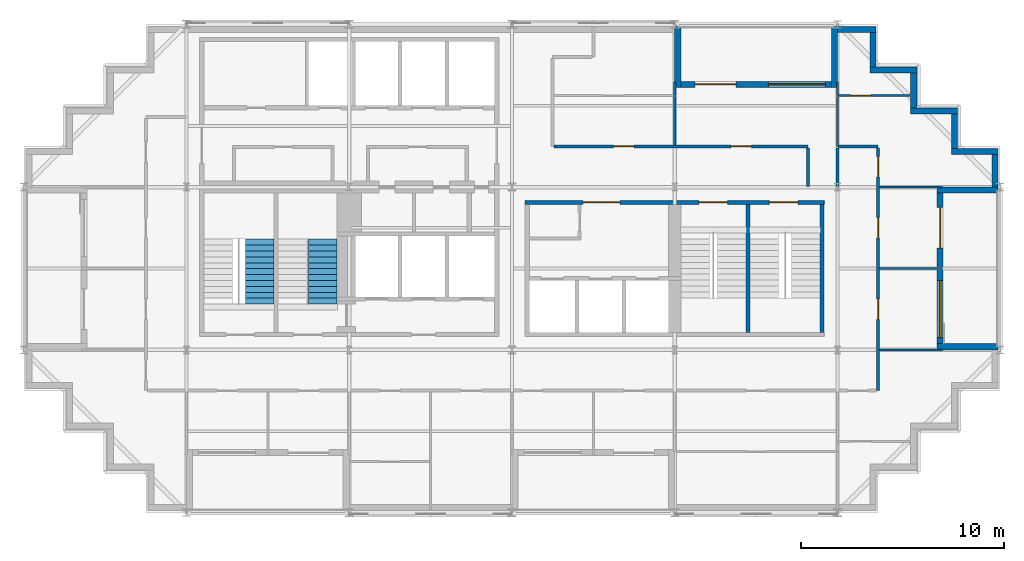
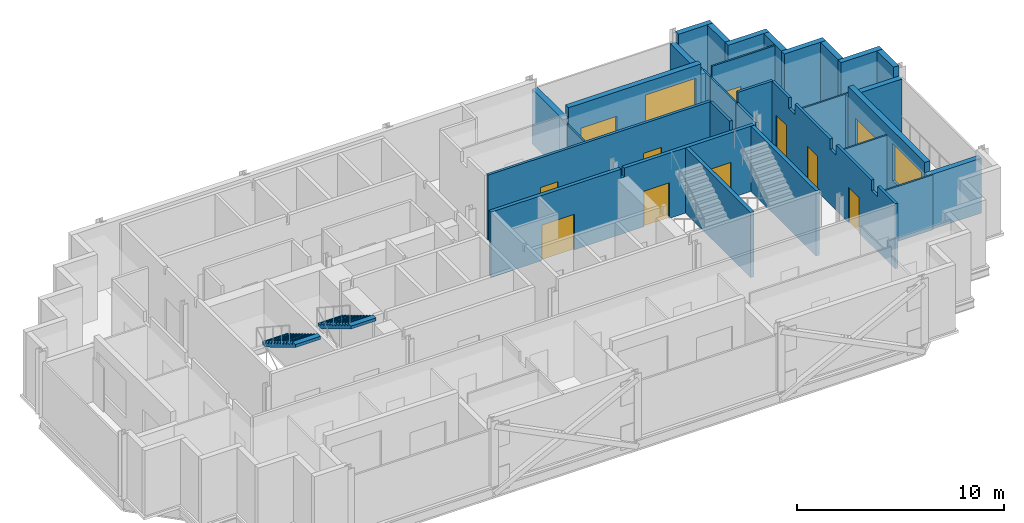
# One storey, part 7 of 9: 30 walls, 11 doors, 2 stair flights, 2 windows, 13 openings, 2 elements without a shape of their own.
"""IFC4 building model written with IfcOpenShell, lengths in metres."""

import ifcopenshell
import ifcopenshell.guid

model = None  # the IFC model being written
_history = None  # IfcOwnerHistory: only IFC2X3 demands one
_inside = {}  # id of a spatial element -> (the spatial element, [elements in it])
_under = {}  # id of a project, library or spatial element -> (it, [spatial elements below it])
_declared = {}  # id of a project -> (the project, [libraries it declares])
_typed = {}  # id of a type object -> (the type object, [elements of that type])
_made_of = {}  # id of a material, layer set ... -> (it, [elements and type objects made of it])


def new_model(schema):
    """Start an empty IFC model of exactly this schema.

    Asked for "IFC4X3", IfcOpenShell would pick the latest addendum, in which some entities
    have other attributes; the version numbers below select the first issue.
    IFC2X3 requires an IfcOwnerHistory on every rooted entity: one is made here for all.
    """
    global model, _history
    if schema == "IFC4X3":
        model = ifcopenshell.file(schema_version=(4, 3, 0, 0))
    else:
        model = ifcopenshell.file(schema=schema)
    _inside.clear()
    _under.clear()
    _declared.clear()
    _typed.clear()
    _made_of.clear()
    _history = None
    if model.schema == "IFC2X3":
        org = make("IfcOrganization", Name="unknown")
        user = make(
            "IfcPersonAndOrganization",
            ThePerson=make("IfcPerson", FamilyName="unknown"),
            TheOrganization=org,
        )
        app = make(
            "IfcApplication",
            ApplicationDeveloper=org,
            Version="unknown",
            ApplicationFullName="unknown",
            ApplicationIdentifier="unknown",
        )
        _history = make(
            "IfcOwnerHistory",
            OwningUser=user,
            OwningApplication=app,
            ChangeAction="ADDED",
            CreationDate=0,
        )
    return model


def make(cls, **values):
    """One entity of the class cls with the attributes given. An attribute that is None is left unset."""
    return model.create_entity(
        cls, **{name: value for name, value in values.items() if value is not None}
    )


def rooted(cls, **values):
    """An entity with a GlobalId (a new one), such as an element, a storey or a relation."""
    return make(cls, GlobalId=ifcopenshell.guid.new(), OwnerHistory=_history, **values)


def si_unit(unit_type, name, prefix=None):
    """IfcSIUnit, for example si_unit("LENGTHUNIT", "METRE", prefix="MILLI")."""
    return make("IfcSIUnit", UnitType=unit_type, Prefix=prefix, Name=name)


def assignment(units):
    """IfcUnitAssignment: the units of a project."""
    return None if units is None else make("IfcUnitAssignment", Units=units)


def point(xyz):
    """IfcCartesianPoint."""
    return None if xyz is None else make("IfcCartesianPoint", Coordinates=xyz)


def direction(xyz):
    """IfcDirection."""
    return None if xyz is None else make("IfcDirection", DirectionRatios=xyz)


def frame(location, z_axis=None, x_axis=None):
    """IfcAxis2Placement3D, a coordinate frame: its origin and axes. An axis left out is left unset."""
    return make(
        "IfcAxis2Placement3D",
        Location=point(location),
        Axis=direction(z_axis),
        RefDirection=direction(x_axis),
    )


def frame_2d(location, x_axis=None):
    """IfcAxis2Placement2D, a coordinate frame in the plane: its origin and x axis."""
    return make(
        "IfcAxis2Placement2D", Location=point(location), RefDirection=direction(x_axis)
    )


def origin():
    """The frame at (0, 0, 0) with its axes left unset."""
    return frame((0.0, 0.0, 0.0))


def place(relative_to, where):
    """IfcLocalPlacement: puts the frame where relative to a parent placement (None: the world)."""
    return make(
        "IfcLocalPlacement", PlacementRelTo=relative_to, RelativePlacement=where
    )


def context(
    kind, dimensions, precision=None, world=None, true_north=None, identifier=None
):
    """IfcGeometricRepresentationContext, for example the 3D "Model" context."""
    return make(
        "IfcGeometricRepresentationContext",
        ContextIdentifier=identifier,
        ContextType=kind,
        CoordinateSpaceDimension=dimensions,
        Precision=precision,
        WorldCoordinateSystem=world,
        TrueNorth=true_north,
    )


def subcontext(parent, identifier, kind, view, scale=None):
    """IfcGeometricRepresentationSubContext, for example "Body" below "Model"."""
    return make(
        "IfcGeometricRepresentationSubContext",
        ContextIdentifier=identifier,
        ContextType=kind,
        ParentContext=parent,
        TargetScale=scale,
        TargetView=view,
    )


def project(units=None, contexts=None):
    """IfcProject with its units and contexts."""
    return rooted(
        "IfcProject",
        Name="project",
        RepresentationContexts=contexts,
        UnitsInContext=assignment(units),
    )


def spatial(cls, under=None, at=None, **own):
    """A site, building, storey or space (cls), placed at a placement, below another one or the project."""
    s = rooted(cls, ObjectPlacement=at, **own)
    if under is not None:
        _under.setdefault(under.id(), (under, []))[1].append(s)
    return s


def polyline(points):
    """IfcPolyline through the points."""
    return make("IfcPolyline", Points=[point(p) for p in points])


def profile(cls, at=None, kind="AREA", **sizes):
    """A parametric profile (cls). Its sizes go by their IFC names, for example OverallWidth=200.0."""
    return make(cls, ProfileType=kind, Position=at, **sizes)


def rectangle(**sizes):
    """IfcRectangleProfileDef."""
    return profile("IfcRectangleProfileDef", **sizes)


def outline(outer, holes=None, kind="AREA"):
    """IfcArbitraryClosedProfileDef: a profile drawn as a closed curve; with holes, ...WithVoids."""
    if holes is None:
        return make("IfcArbitraryClosedProfileDef", ProfileType=kind, OuterCurve=outer)
    return make(
        "IfcArbitraryProfileDefWithVoids",
        ProfileType=kind,
        OuterCurve=outer,
        InnerCurves=holes,
    )


def extrude(swept, where, along, depth):
    """IfcExtrudedAreaSolid: the profile swept, set in the frame where, extruded along a direction by depth."""
    return make(
        "IfcExtrudedAreaSolid",
        SweptArea=swept,
        Position=where,
        ExtrudedDirection=direction(along),
        Depth=depth,
    )


def shape(context_of_items, identifier, shape_type, items):
    """IfcShapeRepresentation: the items that make up one representation, for example the "Body"."""
    return make(
        "IfcShapeRepresentation",
        ContextOfItems=context_of_items,
        RepresentationIdentifier=identifier,
        RepresentationType=shape_type,
        Items=items,
    )


def material(Name=None, Category=None):
    """IfcMaterial."""
    return make("IfcMaterial", Name=Name, Category=Category)


def layer(
    of_material, thickness, ventilated=None, Name=None, Category=None, Priority=None
):
    """IfcMaterialLayer: one layer of a wall or slab, of a material (None: an air gap)."""
    return make(
        "IfcMaterialLayer",
        Material=of_material,
        LayerThickness=thickness,
        IsVentilated=ventilated,
        Name=Name,
        Category=Category,
        Priority=Priority,
    )


def layer_set(layers, Name=None):
    """IfcMaterialLayerSet."""
    return make("IfcMaterialLayerSet", MaterialLayers=layers, LayerSetName=Name)


def made_of(thing, what):
    """Note that an element or type object is made of a material, layer set ...; save() writes the relation."""
    if what is not None:
        _made_of.setdefault(what.id(), (what, []))[1].append(thing)
    return thing


def type_object(cls, material=None, **own):
    """A type object (cls), such as IfcWallType, which elements share."""
    return made_of(rooted(cls, **own), material)


def element(
    cls,
    number,
    at=None,
    inside=None,
    cuts=None,
    type_object=None,
    material=None,
    context=None,
    identifier="Body",
    shape_type=None,
    held_by="IfcProductDefinitionShape",
    body=None,
    shapes=None,
    **own,
):
    """One element of the class cls, such as IfcWall. Its Tag is "e" and its number.

    at: its placement. inside: the storey or other place that contains it. cuts: it is an
    opening in that element (IfcRelVoidsElement). A single representation is given by context,
    identifier, shape_type and body (its items); several are given by shapes. held_by: the class
    of the entity that holds the representations. save() writes the other relations.
    """
    e = rooted(cls, Tag="e%d" % number, ObjectPlacement=at, **own)
    if body is not None:
        shapes = [shape(context, identifier, shape_type, body)]
    if shapes is not None:
        e.Representation = make(held_by, Representations=shapes)
    if inside is not None:
        _inside.setdefault(inside.id(), (inside, []))[1].append(e)
    if cuts is not None:
        rooted(
            "IfcRelVoidsElement", RelatingBuildingElement=cuts, RelatedOpeningElement=e
        )
    if type_object is not None:
        _typed.setdefault(type_object.id(), (type_object, []))[1].append(e)
    return made_of(e, material)


def fill(opening, filler):
    """IfcRelFillsElement: the door or window that sits in an opening."""
    return rooted(
        "IfcRelFillsElement",
        RelatingOpeningElement=opening,
        RelatedBuildingElement=filler,
    )


def aggregate(whole, parts):
    """IfcRelAggregates: a whole, such as a stair, and the parts it consists of."""
    return rooted("IfcRelAggregates", RelatingObject=whole, RelatedObjects=parts)


def save(model, path):
    """Write the relations noted so far, then the file.

    IfcRelAggregates (storeys below a building ...), IfcRelContainedInSpatialStructure (elements
    in a storey), IfcRelDefinesByType, IfcRelAssociatesMaterial and IfcRelDeclares: one each for
    every whole, place, type object, material and project.
    """
    for whole, parts in _under.values():
        aggregate(whole, parts)
    for where, things in _inside.values():
        rooted(
            "IfcRelContainedInSpatialStructure",
            RelatedElements=things,
            RelatingStructure=where,
        )
    for kind, things in _typed.values():
        rooted("IfcRelDefinesByType", RelatedObjects=things, RelatingType=kind)
    for what, things in _made_of.values():
        rooted("IfcRelAssociatesMaterial", RelatedObjects=things, RelatingMaterial=what)
    for by, libraries in _declared.values():
        rooted("IfcRelDeclares", RelatingContext=by, RelatedDefinitions=libraries)
    model.write(path)


model = new_model("IFC4")

# Units and contexts
model_context = context("Model", 3, precision=1e-05, world=origin(), true_north=direction((0.0, 1.0)))
body_context = subcontext(model_context, "Body", "Model", "MODEL_VIEW")
ifc_project = project(units=[si_unit("LENGTHUNIT", "METRE"), si_unit("AREAUNIT", "SQUARE_METRE"), si_unit("VOLUMEUNIT", "CUBIC_METRE"), si_unit("PLANEANGLEUNIT", "RADIAN"), si_unit("MASSUNIT", "GRAM", prefix="KILO")], contexts=[model_context])

# Site, building, storey
site_placement = place(None, origin())
site = spatial("IfcSite", under=ifc_project, at=site_placement, CompositionType="ELEMENT")
building_placement = place(site_placement, origin())
building = spatial("IfcBuilding", under=site, at=building_placement, Name="Immortelle Media Tower", CompositionType="ELEMENT")
storey_placement = place(building_placement, frame((0.0, 0.0, 287.0)))
storey = spatial("IfcBuildingStorey", under=building, at=storey_placement, Name="L63", CompositionType="ELEMENT", Elevation=287.0)

# Wall, openings, doors
ifc_material_1 = material(Name="Fire-rated gypsum board", Category="gypsum")
ifc_layer_1 = layer(ifc_material_1, 0.012451171875)
ifc_material_2 = material(Name="Steel ASTM A653 SS Gr 50 stud frame with mineral wool", Category="steel")
ifc_layer_2 = layer(ifc_material_2, 0.125)
ifc_layer_3 = layer(ifc_material_1, 0.012451171875)
ifc_layer_set_1 = layer_set([ifc_layer_1, ifc_layer_2, ifc_layer_3], Name="Steel ASTM A653 SS Gr 50 stud frame with mineral wool")
wall_type_1 = type_object("IfcWallType", Name="Corridor wall 150", PredefinedType="PARTITIONING", material=ifc_layer_set_1)
wall_1_placement = place(storey_placement, frame((42.0, 6.0, 0.0), z_axis=(0.0, 0.0, 1.0), x_axis=(0.0, 1.0, 0.0)))
wall_1 = element("IfcWall", 1, at=wall_1_placement, inside=storey, type_object=wall_type_1, Name="Partition L63-017", PredefinedType="PARTITIONING", context=body_context, shape_type="SweptSolid", body=[
    extrude(outline(polyline([(0.0, 0.0), (11.925048828125, 0.0), (11.925048828125, 3.85009765625), (10.300048828125, 3.85009765625), (10.298095703125, 3.238037109375), (9.701904296875, 3.238037109375), (9.699951171875, 3.85009765625), (6.300048828125, 3.85009765625), (6.298095703125, 3.238037109375), (5.701904296875, 3.238037109375), (5.699951171875, 3.85009765625), (2.300048828125, 3.85009765625), (2.298095703125, 3.238037109375), (1.701904296875, 3.238037109375), (1.699951171875, 3.85009765625), (0.0, 3.85009765625), (0.0, 0.0)])), frame((0.0, 0.074951171875, 0.0), z_axis=(0.0, -1.0, 0.0), x_axis=(1.0, 0.0, 0.0)), (0.0, 0.0, 1.0), 0.14990234375),
])
opening_1_placement = place(wall_1_placement, frame((4.5, 0.0, 0.0), z_axis=(0.0, 0.0, 1.0), x_axis=(-1.0, 0.0, 0.0)))
opening_1 = element("IfcOpeningElement", 2, at=opening_1_placement, cuts=wall_1, Name="Opening X5-F015", PredefinedType="OPENING", context=body_context, shape_type="SweptSolid", body=[
    extrude(rectangle(XDim=1.0, YDim=2.10009765625, at=frame_2d((0.5, 1.050048828125))), frame((0.0, 0.0849609375, 0.0), z_axis=(0.0, -1.0, 0.0), x_axis=(1.0, 0.0, 0.0)), (0.0, 0.0, 1.0), 0.169921875),
])
opening_2_placement = place(wall_1_placement, frame((8.5, 0.0, 0.0), z_axis=(0.0, 0.0, 1.0), x_axis=(-1.0, 0.0, 0.0)))
opening_2 = element("IfcOpeningElement", 3, at=opening_2_placement, cuts=wall_1, Name="Opening X5-F016", PredefinedType="OPENING", context=body_context, shape_type="SweptSolid", body=[
    extrude(rectangle(XDim=1.0, YDim=2.10009765625, at=frame_2d((0.5, 1.050048828125))), frame((0.0, 0.0849609375, 0.0), z_axis=(0.0, -1.0, 0.0), x_axis=(1.0, 0.0, 0.0)), (0.0, 0.0, 1.0), 0.169921875),
])
opening_3_placement = place(wall_1_placement, frame((10.5, 0.0, 0.0)))
opening_3 = element("IfcOpeningElement", 4, at=opening_3_placement, cuts=wall_1, Name="Opening X5-F018", PredefinedType="OPENING", context=body_context, shape_type="SweptSolid", body=[
    extrude(rectangle(XDim=1.0, YDim=2.10009765625, at=frame_2d((0.5, 1.050048828125))), frame((0.0, 0.0849609375, 0.0), z_axis=(0.0, -1.0, 0.0), x_axis=(1.0, 0.0, 0.0)), (0.0, 0.0, 1.0), 0.169921875),
])
ifc_material_3 = material(Name="Timber veneered door leaf, galvanised steel frame ASTM A653", Category="steel")
door_type_1 = type_object("IfcDoorType", Name="Room door 1000 x 2100", OperationType="NOTDEFINED", PredefinedType="DOOR", material=ifc_material_3)
door_1_placement = place(opening_1_placement, origin())
door_1 = element("IfcDoor", 5, at=door_1_placement, inside=storey, type_object=door_type_1, Name="Door X5-F015", OperationType="SINGLE_SWING_RIGHT", OverallHeight=2.10009765625, OverallWidth=1.0, PredefinedType="DOOR", context=body_context, shape_type="SweptSolid", body=[
    extrude(rectangle(XDim=1.0, YDim=2.10009765625, at=frame_2d((0.5, 1.050048828125))), frame((0.0, 0.02490234375, 0.0), z_axis=(0.0, -1.0, 0.0), x_axis=(1.0, 0.0, 0.0)), (0.0, 0.0, 1.0), 0.050048828125),
])
fill(opening_1, door_1)
door_2_placement = place(opening_2_placement, origin())
door_2 = element("IfcDoor", 6, at=door_2_placement, inside=storey, type_object=door_type_1, Name="Door X5-F016", OperationType="SINGLE_SWING_LEFT", OverallHeight=2.10009765625, OverallWidth=1.0, PredefinedType="DOOR", context=body_context, shape_type="SweptSolid", body=[
    extrude(rectangle(XDim=1.0, YDim=2.10009765625, at=frame_2d((0.5, 1.050048828125))), frame((0.0, 0.02490234375, 0.0), z_axis=(0.0, -1.0, 0.0), x_axis=(1.0, 0.0, 0.0)), (0.0, 0.0, 1.0), 0.050048828125),
])
fill(opening_2, door_2)
door_3_placement = place(opening_3_placement, origin())
door_3 = element("IfcDoor", 7, at=door_3_placement, inside=storey, type_object=door_type_1, Name="Door X5-F018", OperationType="SINGLE_SWING_RIGHT", OverallHeight=2.10009765625, OverallWidth=1.0, PredefinedType="DOOR", context=body_context, shape_type="SweptSolid", body=[
    extrude(rectangle(XDim=1.0, YDim=2.10009765625, at=frame_2d((0.5, 1.050048828125))), frame((0.0, 0.02490234375, 0.0), z_axis=(0.0, -1.0, 0.0), x_axis=(1.0, 0.0, 0.0)), (0.0, 0.0, 1.0), 0.050048828125),
])
fill(opening_3, door_3)

# Walls
wall_2_placement = place(storey_placement, frame((38.550048828125, 16.030029296875, 0.0), z_axis=(0.0, 0.0, 1.0), x_axis=(0.0, 1.0, 0.0)))
element("IfcWall", 8, at=wall_2_placement, inside=storey, type_object=wall_type_1, Name="Partition L63-024", PredefinedType="PARTITIONING", context=body_context, shape_type="SweptSolid", body=[
    extrude(rectangle(XDim=1.89501953125, YDim=0.14990234375, at=frame_2d((0.947509765625, 0.0))), origin(), (0.0, 0.0, 1.0), 3.85009765625),
])
wall_3_placement = place(storey_placement, frame((40.0, 16.030029296875, 0.0), z_axis=(0.0, 0.0, 1.0), x_axis=(0.0, 1.0, 0.0)))
element("IfcWall", 9, at=wall_3_placement, inside=storey, type_object=wall_type_1, Name="Partition L63-025", PredefinedType="PARTITIONING", context=body_context, shape_type="SweptSolid", body=[
    extrude(rectangle(XDim=1.89501953125, YDim=0.14990234375, at=frame_2d((0.947509765625, 0.0))), origin(), (0.0, 0.0, 1.0), 3.238037109375),
])

# Wall, openings, doors
wall_4_placement = place(storey_placement, frame((26.074951171875, 18.0, 0.0), z_axis=(0.0, 0.0, 1.0), x_axis=(1.0, 0.0, 0.0)))
wall_4 = element("IfcWall", 10, at=wall_4_placement, inside=storey, type_object=wall_type_1, Name="Partition L63-026", PredefinedType="PARTITIONING", context=body_context, shape_type="SweptSolid", body=[
    extrude(rectangle(XDim=12.47509765625, YDim=0.14990234375, at=frame_2d((6.237548828125, 0.0))), origin(), (0.0, 0.0, 1.0), 3.85009765625),
])
opening_4_placement = place(wall_4_placement, frame((8.699951171875, 0.0, 0.0)))
opening_4 = element("IfcOpeningElement", 11, at=opening_4_placement, cuts=wall_4, Name="Opening X5-F020", PredefinedType="OPENING", context=body_context, shape_type="SweptSolid", body=[
    extrude(rectangle(XDim=1.0, YDim=2.10009765625, at=frame_2d((0.5, 1.050048828125))), frame((0.0, 0.0849609375, 0.0), z_axis=(0.0, -1.0, 0.0), x_axis=(1.0, 0.0, 0.0)), (0.0, 0.0, 1.0), 0.169921875),
])
opening_5_placement = place(wall_4_placement, frame((2.925048828125, 0.0, 0.0)))
opening_5 = element("IfcOpeningElement", 12, at=opening_5_placement, cuts=wall_4, Name="Opening X5-F021", PredefinedType="OPENING", context=body_context, shape_type="SweptSolid", body=[
    extrude(rectangle(XDim=1.0, YDim=2.10009765625, at=frame_2d((0.5, 1.050048828125))), frame((0.0, 0.0849609375, 0.0), z_axis=(0.0, -1.0, 0.0), x_axis=(1.0, 0.0, 0.0)), (0.0, 0.0, 1.0), 0.169921875),
])
door_4_placement = place(opening_4_placement, origin())
door_4 = element("IfcDoor", 13, at=door_4_placement, inside=storey, type_object=door_type_1, Name="Door X5-F020", OperationType="SINGLE_SWING_LEFT", OverallHeight=2.10009765625, OverallWidth=1.0, PredefinedType="DOOR", context=body_context, shape_type="SweptSolid", body=[
    extrude(rectangle(XDim=1.0, YDim=2.10009765625, at=frame_2d((0.5, 1.050048828125))), frame((0.0, 0.02490234375, 0.0), z_axis=(0.0, -1.0, 0.0), x_axis=(1.0, 0.0, 0.0)), (0.0, 0.0, 1.0), 0.050048828125),
])
fill(opening_4, door_4)
door_5_placement = place(opening_5_placement, origin())
door_5 = element("IfcDoor", 14, at=door_5_placement, inside=storey, type_object=door_type_1, Name="Door X5-F021", OperationType="SINGLE_SWING_RIGHT", OverallHeight=2.10009765625, OverallWidth=1.0, PredefinedType="DOOR", context=body_context, shape_type="SweptSolid", body=[
    extrude(rectangle(XDim=1.0, YDim=2.10009765625, at=frame_2d((0.5, 1.050048828125))), frame((0.0, 0.02490234375, 0.0), z_axis=(0.0, -1.0, 0.0), x_axis=(1.0, 0.0, 0.0)), (0.0, 0.0, 1.0), 0.050048828125),
])
fill(opening_5, door_5)

# Wall
wall_5_placement = place(storey_placement, frame((40.050048828125, 18.0, 0.0), z_axis=(0.0, 0.0, 1.0), x_axis=(1.0, 0.0, 0.0)))
element("IfcWall", 15, at=wall_5_placement, inside=storey, type_object=wall_type_1, Name="Partition L63-029", PredefinedType="PARTITIONING", context=body_context, shape_type="SweptSolid", body=[
    extrude(rectangle(XDim=1.949951171875, YDim=0.14990234375, at=frame_2d((0.97509765625, 0.0))), origin(), (0.0, 0.0, 1.0), 3.85009765625),
])

# Wall, openings, door, window
ifc_material_4 = material(Name="Pale aluminium cladding panel", Category="aluminium")
ifc_layer_4 = layer(ifc_material_4, 0.030029296875)
ifc_layer_5 = layer(ifc_material_2, 0.257568359375)
ifc_material_5 = material(Name="Moisture-resistant gypsum board", Category="gypsum")
ifc_layer_6 = layer(ifc_material_5, 0.012451171875)
ifc_layer_set_2 = layer_set([ifc_layer_4, ifc_layer_5, ifc_layer_6], Name="Steel ASTM A653 SS Gr 50 stud frame with mineral wool")
wall_type_2 = type_object("IfcWallType", Name="Facade wall 300", PredefinedType="SOLIDWALL", material=ifc_layer_set_2)
wall_6_placement = place(storey_placement, frame((45.050048828125, 8.300048828125, 0.0), z_axis=(0.0, 0.0, 1.0), x_axis=(0.0, 1.0, 0.0)))
wall_6 = element("IfcWall", 16, at=wall_6_placement, inside=storey, type_object=wall_type_2, Name="Loggia wall L63 E13", PredefinedType="SOLIDWALL", context=body_context, shape_type="SweptSolid", body=[
    extrude(rectangle(XDim=7.39990234375, YDim=0.300048828125, at=frame_2d((3.699951171875, 0.0))), origin(), (0.0, 0.0, 1.0), 3.85009765625),
])
opening_6_placement = place(wall_6_placement, frame((0.300048828125, 0.0, 0.89990234375)))
opening_6 = element("IfcOpeningElement", 17, at=opening_6_placement, cuts=wall_6, Name="Opening W1", PredefinedType="OPENING", context=body_context, shape_type="SweptSolid", body=[
    extrude(rectangle(XDim=2.800048828125, YDim=2.199951171875, at=frame_2d((1.39990234375, 1.10009765625))), frame((0.0, 0.159912109375, 0.0), z_axis=(0.0, -1.0, 0.0), x_axis=(1.0, 0.0, 0.0)), (0.0, 0.0, 1.0), 0.320068359375),
])
opening_7_placement = place(wall_6_placement, frame((4.699951171875, 0.0, 0.0)))
opening_7 = element("IfcOpeningElement", 18, at=opening_7_placement, cuts=wall_6, Name="Opening X5-E003", PredefinedType="OPENING", context=body_context, shape_type="SweptSolid", body=[
    extrude(rectangle(XDim=2.0, YDim=2.39990234375, at=frame_2d((1.0, 1.199951171875))), frame((0.0, 0.159912109375, 0.0), z_axis=(0.0, -1.0, 0.0), x_axis=(1.0, 0.0, 0.0)), (0.0, 0.0, 1.0), 0.320068359375),
])
ifc_material_6 = material(Name="Aluminium frame, glazed leaves", Category="aluminium")
door_type_2 = type_object("IfcDoorType", Name="Loggia door 2000 x 2400", OperationType="DOUBLE_DOOR_SINGLE_SWING", PredefinedType="DOOR", material=ifc_material_6)
door_6_placement = place(opening_7_placement, origin())
door_6 = element("IfcDoor", 19, at=door_6_placement, inside=storey, type_object=door_type_2, Name="Door X5-E003", OperationType="DOUBLE_DOOR_SINGLE_SWING", OverallHeight=2.39990234375, OverallWidth=2.0, PredefinedType="DOOR", context=body_context, shape_type="SweptSolid", body=[
    extrude(rectangle(XDim=2.0, YDim=2.39990234375, at=frame_2d((1.0, 1.199951171875))), frame((0.0, 0.02490234375, 0.0), z_axis=(0.0, -1.0, 0.0), x_axis=(1.0, 0.0, 0.0)), (0.0, 0.0, 1.0), 0.050048828125),
])
fill(opening_7, door_6)
ifc_material_7 = material(Name="Aluminium frame", Category="aluminium")
window_type = type_object("IfcWindowType", Name="Window 2800 x 2200", PartitioningType="SINGLE_PANEL", PredefinedType="WINDOW", material=ifc_material_7)
window_1_placement = place(opening_6_placement, origin())
window_1 = element("IfcWindow", 20, at=window_1_placement, inside=storey, type_object=window_type, Name="Window L63 L63-R13-B0", OverallHeight=2.199951171875, OverallWidth=2.800048828125, PartitioningType="SINGLE_PANEL", PredefinedType="WINDOW", context=body_context, shape_type="SweptSolid", body=[
    extrude(rectangle(XDim=2.800048828125, YDim=2.199951171875, at=frame_2d((1.39990234375, 1.10009765625))), frame((0.0, 0.030029296875, 0.0), z_axis=(0.0, -1.0, 0.0), x_axis=(1.0, 0.0, 0.0)), (0.0, 0.0, 1.0), 0.06005859375),
])
fill(opening_6, window_1)

# Walls
for number, where, z_axis, x_axis, name in (
    (21, (47.89990234375, 8.14990234375, 0.0), (0.0, 0.0, 1.0), (-1.0, 0.0, 0.0), "Loggia cheek wall L63 E"),
    (22, (47.89990234375, 15.85009765625, 0.0), (0.0, 0.0, 1.0), (-1.0, 0.0, 0.0), "Loggia cheek wall L63 E"),
):
    element("IfcWall", number, at=place(storey_placement, frame(where, z_axis=z_axis, x_axis=x_axis)), inside=storey, type_object=wall_type_2, Name=name, PredefinedType="SOLIDWALL", context=body_context, shape_type="SweptSolid", body=[
        extrude(rectangle(XDim=3.0, YDim=0.300048828125, at=frame_2d((1.5, 0.0))), origin(), (0.0, 0.0, 1.0), 3.237060546875),
    ])
wall_7_placement = place(storey_placement, frame((47.75, 16.0, 0.0), z_axis=(0.0, 0.0, 1.0), x_axis=(0.0, 1.0, 0.0)))
element("IfcWall", 23, at=wall_7_placement, inside=storey, type_object=wall_type_2, Name="Facade wall L63 E13", PredefinedType="SOLIDWALL", context=body_context, shape_type="SweptSolid", body=[
    extrude(rectangle(XDim=1.60009765625, YDim=0.300048828125, at=frame_2d((0.800048828125, 0.0))), origin(), (0.0, 0.0, 1.0), 3.85009765625),
])
wall_8_placement = place(storey_placement, frame((47.89990234375, 17.75, 0.0), z_axis=(0.0, 0.0, 1.0), x_axis=(-1.0, 0.0, 0.0)))
element("IfcWall", 24, at=wall_8_placement, inside=storey, type_object=wall_type_2, Name="Facade wall L63 N14", PredefinedType="SOLIDWALL", context=body_context, shape_type="SweptSolid", body=[
    extrude(rectangle(XDim=2.2998046875, YDim=0.300048828125, at=frame_2d((1.14990234375, 0.0))), origin(), (0.0, 0.0, 1.0), 3.85009765625),
])
wall_9_placement = place(storey_placement, frame((45.75, 17.89990234375, 0.0), z_axis=(0.0, 0.0, 1.0), x_axis=(0.0, 1.0, 0.0)))
element("IfcWall", 25, at=wall_9_placement, inside=storey, type_object=wall_type_2, Name="Facade wall L63 E15", PredefinedType="SOLIDWALL", context=body_context, shape_type="SweptSolid", body=[
    extrude(rectangle(XDim=1.7001953125, YDim=0.300048828125, at=frame_2d((0.85009765625, 0.0))), origin(), (0.0, 0.0, 1.0), 3.85009765625),
])
wall_10_placement = place(storey_placement, frame((45.89990234375, 19.75, 0.0), z_axis=(0.0, 0.0, 1.0), x_axis=(-1.0, 0.0, 0.0)))
element("IfcWall", 26, at=wall_10_placement, inside=storey, type_object=wall_type_2, Name="Facade wall L63 N16", PredefinedType="SOLIDWALL", context=body_context, shape_type="SweptSolid", body=[
    extrude(rectangle(XDim=2.2998046875, YDim=0.300048828125, at=frame_2d((1.14990234375, 0.0))), origin(), (0.0, 0.0, 1.0), 3.85009765625),
])
wall_11_placement = place(storey_placement, frame((43.75, 19.89990234375, 0.0), z_axis=(0.0, 0.0, 1.0), x_axis=(0.0, 1.0, 0.0)))
element("IfcWall", 27, at=wall_11_placement, inside=storey, type_object=wall_type_2, Name="Facade wall L63 E17", PredefinedType="SOLIDWALL", context=body_context, shape_type="SweptSolid", body=[
    extrude(rectangle(XDim=1.7001953125, YDim=0.300048828125, at=frame_2d((0.85009765625, 0.0))), origin(), (0.0, 0.0, 1.0), 3.85009765625),
])
wall_12_placement = place(storey_placement, frame((43.89990234375, 21.75, 0.0), z_axis=(0.0, 0.0, 1.0), x_axis=(-1.0, 0.0, 0.0)))
element("IfcWall", 28, at=wall_12_placement, inside=storey, type_object=wall_type_2, Name="Facade wall L63 N18", PredefinedType="SOLIDWALL", context=body_context, shape_type="SweptSolid", body=[
    extrude(rectangle(XDim=2.2998046875, YDim=0.300048828125, at=frame_2d((1.14990234375, 0.0))), origin(), (0.0, 0.0, 1.0), 3.85009765625),
])
wall_13_placement = place(storey_placement, frame((41.75, 21.89990234375, 0.0), z_axis=(0.0, 0.0, 1.0), x_axis=(0.0, 1.0, 0.0)))
element("IfcWall", 29, at=wall_13_placement, inside=storey, type_object=wall_type_2, Name="Facade wall L63 E19", PredefinedType="SOLIDWALL", context=body_context, shape_type="SweptSolid", body=[
    extrude(rectangle(XDim=1.7001953125, YDim=0.300048828125, at=frame_2d((0.85009765625, 0.0))), origin(), (0.0, 0.0, 1.0), 3.85009765625),
])
wall_14_placement = place(storey_placement, frame((41.89990234375, 23.75, 0.0), z_axis=(0.0, 0.0, 1.0), x_axis=(-1.0, 0.0, 0.0)))
element("IfcWall", 30, at=wall_14_placement, inside=storey, type_object=wall_type_2, Name="Facade wall L63 N20", PredefinedType="SOLIDWALL", context=body_context, shape_type="SweptSolid", body=[
    extrude(rectangle(XDim=1.89990234375, YDim=0.300048828125, at=frame_2d((0.949951171875, 0.0))), origin(), (0.0, 0.0, 1.0), 3.85009765625),
])

# Wall, openings, door, window
wall_15_placement = place(storey_placement, frame((39.699951171875, 21.050048828125, 0.0), z_axis=(0.0, 0.0, 1.0), x_axis=(-1.0, 0.0, 0.0)))
wall_15 = element("IfcWall", 31, at=wall_15_placement, inside=storey, type_object=wall_type_2, Name="Loggia wall L63 N20", PredefinedType="SOLIDWALL", context=body_context, shape_type="SweptSolid", body=[
    extrude(rectangle(XDim=7.39990234375, YDim=0.300048828125, at=frame_2d((3.699951171875, 0.0))), origin(), (0.0, 0.0, 1.0), 3.85009765625),
])
opening_8_placement = place(wall_15_placement, frame((0.300048828125, 0.0, 0.89990234375)))
opening_8 = element("IfcOpeningElement", 32, at=opening_8_placement, cuts=wall_15, Name="Opening W1", PredefinedType="OPENING", context=body_context, shape_type="SweptSolid", body=[
    extrude(rectangle(XDim=2.800048828125, YDim=2.199951171875, at=frame_2d((1.39990234375, 1.10009765625))), frame((0.0, 0.159912109375, 0.0), z_axis=(0.0, -1.0, 0.0), x_axis=(1.0, 0.0, 0.0)), (0.0, 0.0, 1.0), 0.320068359375),
])
opening_9_placement = place(wall_15_placement, frame((4.699951171875, 0.0, 0.0)))
opening_9 = element("IfcOpeningElement", 33, at=opening_9_placement, cuts=wall_15, Name="Opening X5-E004", PredefinedType="OPENING", context=body_context, shape_type="SweptSolid", body=[
    extrude(rectangle(XDim=2.0, YDim=2.39990234375, at=frame_2d((1.0, 1.199951171875))), frame((0.0, 0.159912109375, 0.0), z_axis=(0.0, -1.0, 0.0), x_axis=(1.0, 0.0, 0.0)), (0.0, 0.0, 1.0), 0.320068359375),
])
door_7_placement = place(opening_9_placement, origin())
door_7 = element("IfcDoor", 34, at=door_7_placement, inside=storey, type_object=door_type_2, Name="Door X5-E004", OperationType="DOUBLE_DOOR_SINGLE_SWING", OverallHeight=2.39990234375, OverallWidth=2.0, PredefinedType="DOOR", context=body_context, shape_type="SweptSolid", body=[
    extrude(rectangle(XDim=2.0, YDim=2.39990234375, at=frame_2d((1.0, 1.199951171875))), frame((0.0, 0.02490234375, 0.0), z_axis=(0.0, -1.0, 0.0), x_axis=(1.0, 0.0, 0.0)), (0.0, 0.0, 1.0), 0.050048828125),
])
fill(opening_9, door_7)
window_2_placement = place(opening_8_placement, origin())
window_2 = element("IfcWindow", 35, at=window_2_placement, inside=storey, type_object=window_type, Name="Window L63 L63-R20-B0", OverallHeight=2.199951171875, OverallWidth=2.800048828125, PartitioningType="SINGLE_PANEL", PredefinedType="WINDOW", context=body_context, shape_type="SweptSolid", body=[
    extrude(rectangle(XDim=2.800048828125, YDim=2.199951171875, at=frame_2d((1.39990234375, 1.10009765625))), frame((0.0, 0.030029296875, 0.0), z_axis=(0.0, -1.0, 0.0), x_axis=(1.0, 0.0, 0.0)), (0.0, 0.0, 1.0), 0.06005859375),
])
fill(opening_8, window_2)

# Walls
wall_16_placement = place(storey_placement, frame((39.85009765625, 23.89990234375, 0.0), z_axis=(0.0, 0.0, 1.0), x_axis=(0.0, -1.0, 0.0)))
element("IfcWall", 36, at=wall_16_placement, inside=storey, type_object=wall_type_2, Name="Loggia cheek wall L63 N", PredefinedType="SOLIDWALL", context=body_context, shape_type="SweptSolid", body=[
    extrude(rectangle(XDim=3.0, YDim=0.300048828125, at=frame_2d((1.5, 0.0))), origin(), (0.0, 0.0, 1.0), 3.237060546875),
])
wall_17_placement = place(storey_placement, frame((32.14990234375, 23.89990234375, 0.0), z_axis=(0.0, 0.0, 1.0), x_axis=(0.0, -1.0, 0.0)))
element("IfcWall", 37, at=wall_17_placement, inside=storey, type_object=wall_type_2, Name="Loggia cheek wall L63 N", PredefinedType="SOLIDWALL", context=body_context, shape_type="SweptSolid", body=[
    extrude(rectangle(XDim=3.0, YDim=0.300048828125, at=frame_2d((1.5, 0.0))), origin(), (0.0, 0.0, 1.0), 3.2470703125),
])
ifc_material_8 = material(Name="Gypsum board", Category="gypsum")
ifc_layer_7 = layer(ifc_material_8, 0.012451171875)
ifc_layer_8 = layer(ifc_material_2, 0.074951171875)
ifc_layer_9 = layer(ifc_material_8, 0.012451171875)
ifc_layer_set_3 = layer_set([ifc_layer_7, ifc_layer_8, ifc_layer_9], Name="Steel ASTM A653 SS Gr 50 stud frame with mineral wool")
wall_type_3 = type_object("IfcWallType", Name="Partition 100", PredefinedType="PARTITIONING", material=ifc_layer_set_3)
for number, where, z_axis, x_axis, name in (
    (38, (42.074951171875, 8.0, 0.0), (0.0, 0.0, 1.0), (1.0, 0.0, 0.0), "Partition L63-019"),
    (39, (42.074951171875, 12.0, 0.0), (0.0, 0.0, 1.0), (1.0, 0.0, 0.0), "Partition L63-021"),
    (40, (42.074951171875, 16.0, 0.0), (0.0, 0.0, 1.0), (1.0, 0.0, 0.0), "Partition L63-023"),
):
    element("IfcWall", number, at=place(storey_placement, frame(where, z_axis=z_axis, x_axis=x_axis)), inside=storey, type_object=wall_type_3, Name=name, PredefinedType="PARTITIONING", context=body_context, shape_type="SweptSolid", body=[
        extrude(rectangle(XDim=3.094970703125, YDim=0.10009765625, at=frame_2d((1.54736328125, 0.0))), origin(), (0.0, 0.0, 1.0), 3.238037109375),
    ])
wall_18_placement = place(storey_placement, frame((32.0, 18.074951171875, 0.0), z_axis=(0.0, 0.0, 1.0), x_axis=(0.0, 1.0, 0.0)))
element("IfcWall", 41, at=wall_18_placement, inside=storey, type_object=wall_type_3, Name="Partition L63-028", PredefinedType="PARTITIONING", context=body_context, shape_type="SweptSolid", body=[
    extrude(rectangle(XDim=2.375, YDim=0.10009765625, at=frame_2d((1.1875, 0.0))), origin(), (0.0, 0.0, 1.0), 3.238037109375),
])
wall_19_placement = place(storey_placement, frame((40.0, 18.0, 0.0), z_axis=(0.0, 0.0, 1.0), x_axis=(0.0, 1.0, 0.0)))
element("IfcWall", 42, at=wall_19_placement, inside=storey, type_object=wall_type_3, Name="Partition L63-030", PredefinedType="PARTITIONING", context=body_context, shape_type="SweptSolid", body=[
    extrude(rectangle(XDim=2.449951171875, YDim=0.10009765625, at=frame_2d((1.22509765625, 0.0))), origin(), (0.0, 0.0, 1.0), 3.238037109375),
])
wall_20_placement = place(storey_placement, frame((32.0, 20.5, 0.0), z_axis=(0.0, 0.0, 1.0), x_axis=(0.0, 1.0, 0.0)))
element("IfcWall", 43, at=wall_20_placement, inside=storey, type_object=wall_type_3, Name="Partition L63-033", PredefinedType="PARTITIONING", context=body_context, shape_type="SweptSolid", body=[
    extrude(rectangle(XDim=0.669921875, YDim=0.10009765625, at=frame_2d((0.3349609375, 0.0))), origin(), (0.0, 0.0, 1.0), 3.238037109375),
])

# Wall, opening, door
wall_21_placement = place(storey_placement, frame((40.050048828125, 20.5, 0.0), z_axis=(0.0, 0.0, 1.0), x_axis=(1.0, 0.0, 0.0)))
wall_21 = element("IfcWall", 44, at=wall_21_placement, inside=storey, type_object=wall_type_3, Name="Partition L63-034", PredefinedType="PARTITIONING", context=body_context, shape_type="SweptSolid", body=[
    extrude(rectangle(XDim=3.52001953125, YDim=0.10009765625, at=frame_2d((1.760009765625, 0.0))), origin(), (0.0, 0.0, 1.0), 3.85009765625),
])
opening_10_placement = place(wall_21_placement, frame((0.60009765625, 0.0, 0.0)))
opening_10 = element("IfcOpeningElement", 45, at=opening_10_placement, cuts=wall_21, Name="Opening X5-F019", PredefinedType="OPENING", context=body_context, shape_type="SweptSolid", body=[
    extrude(rectangle(XDim=1.0, YDim=2.10009765625, at=frame_2d((0.5, 1.050048828125))), frame((0.0, 0.06005859375, 0.0), z_axis=(0.0, -1.0, 0.0), x_axis=(1.0, 0.0, 0.0)), (0.0, 0.0, 1.0), 0.1201171875),
])
door_8_placement = place(opening_10_placement, origin())
door_8 = element("IfcDoor", 46, at=door_8_placement, inside=storey, type_object=door_type_1, Name="Door X5-F019", OperationType="SINGLE_SWING_LEFT", OverallHeight=2.10009765625, OverallWidth=1.0, PredefinedType="DOOR", context=body_context, shape_type="SweptSolid", body=[
    extrude(rectangle(XDim=1.0, YDim=2.10009765625, at=frame_2d((0.5, 1.050048828125))), frame((0.0, 0.02490234375, 0.0), z_axis=(0.0, -1.0, 0.0), x_axis=(1.0, 0.0, 0.0)), (0.0, 0.0, 1.0), 0.050048828125),
])
fill(opening_10, door_8)

# Wall
wall_22_placement = place(storey_placement, frame((40.0, 20.5, 0.0), z_axis=(0.0, 0.0, 1.0), x_axis=(0.0, 1.0, 0.0)))
element("IfcWall", 47, at=wall_22_placement, inside=storey, type_object=wall_type_3, Name="Partition L63-035", PredefinedType="PARTITIONING", context=body_context, shape_type="SweptSolid", body=[
    extrude(rectangle(XDim=0.669921875, YDim=0.10009765625, at=frame_2d((0.3349609375, 0.0))), origin(), (0.0, 0.0, 1.0), 3.238037109375),
])

# Wall, openings, doors
ifc_material_9 = material(Name="Concrete C60", Category="concrete")
ifc_layer_10 = layer(ifc_material_9, 0.199951171875)
ifc_layer_set_4 = layer_set([ifc_layer_10], Name="Concrete C60")
wall_type_4 = type_object("IfcWallType", Name="Stair shaft wall 200", PredefinedType="PARTITIONING", material=ifc_layer_set_4)
wall_23_placement = place(storey_placement, frame((24.64990234375, 15.25, 0.0), z_axis=(0.0, 0.0, 1.0), x_axis=(1.0, 0.0, 0.0)))
wall_23 = element("IfcWall", 48, at=wall_23_placement, inside=storey, type_object=wall_type_4, Name="Stair shaft wall SE", PredefinedType="PARTITIONING", context=body_context, shape_type="SweptSolid", body=[
    extrude(outline(polyline([(0.0, 0.0), (14.7001953125, 0.0), (14.699951171875, 3.85009765625), (7.4375, 3.85009765625), (7.4365234375, 3.318115234375), (7.263427734375, 3.318115234375), (7.262451171875, 3.85009765625), (0.0, 3.85009765625), (0.0, 0.0)])), frame((0.0, 0.10009765625, 0.0), z_axis=(0.0, -1.0, 0.0), x_axis=(1.0, 0.0, 0.0)), (0.0, 0.0, 1.0), 0.199951171875),
])
opening_11_placement = place(wall_23_placement, frame((2.85009765625, 0.0, 0.0)))
opening_11 = element("IfcOpeningElement", 49, at=opening_11_placement, cuts=wall_23, Name="Opening X5-K023", PredefinedType="OPENING", context=body_context, shape_type="SweptSolid", body=[
    extrude(rectangle(XDim=1.800048828125, YDim=2.10009765625, at=frame_2d((0.89990234375, 1.050048828125))), frame((0.0, 0.10986328125, 0.0), z_axis=(0.0, -1.0, 0.0), x_axis=(1.0, 0.0, 0.0)), (0.0, 0.0, 1.0), 0.219970703125),
])
opening_12_placement = place(wall_23_placement, frame((9.949951171875, 0.0, 0.0), z_axis=(0.0, 0.0, 1.0), x_axis=(-1.0, 0.0, 0.0)))
opening_12 = element("IfcOpeningElement", 50, at=opening_12_placement, cuts=wall_23, Name="Opening X5-K025", PredefinedType="OPENING", context=body_context, shape_type="SweptSolid", body=[
    extrude(rectangle(XDim=1.39990234375, YDim=2.10009765625, at=frame_2d((0.699951171875, 1.050048828125))), frame((0.0, 0.10986328125, 0.0), z_axis=(0.0, -1.0, 0.0), x_axis=(1.0, 0.0, 0.0)), (0.0, 0.0, 1.0), 0.219970703125),
])
opening_13_placement = place(wall_23_placement, frame((13.39990234375, 0.0, 0.0), z_axis=(0.0, 0.0, 1.0), x_axis=(-1.0, 0.0, 0.0)))
opening_13 = element("IfcOpeningElement", 51, at=opening_13_placement, cuts=wall_23, Name="Opening X5-K026", PredefinedType="OPENING", context=body_context, shape_type="SweptSolid", body=[
    extrude(rectangle(XDim=1.39990234375, YDim=2.10009765625, at=frame_2d((0.699951171875, 1.050048828125))), frame((0.0, 0.10986328125, 0.0), z_axis=(0.0, -1.0, 0.0), x_axis=(1.0, 0.0, 0.0)), (0.0, 0.0, 1.0), 0.219970703125),
])
ifc_material_10 = material(Name="Galvanised steel door leaf and frame ASTM A653", Category="steel")
door_type_3 = type_object("IfcDoorType", Name="Lift lobby door 1800 x 2100", OperationType="DOUBLE_DOOR_SINGLE_SWING", PredefinedType="NOTDEFINED", material=ifc_material_10)
door_9_placement = place(opening_11_placement, origin())
door_9 = element("IfcDoor", 52, at=door_9_placement, inside=storey, type_object=door_type_3, Name="Lift lobby X5-K023", OperationType="DOUBLE_DOOR_SINGLE_SWING", OverallHeight=2.10009765625, OverallWidth=1.800048828125, PredefinedType="NOTDEFINED", context=body_context, shape_type="SweptSolid", body=[
    extrude(rectangle(XDim=1.800048828125, YDim=2.10009765625, at=frame_2d((0.89990234375, 1.050048828125))), frame((0.0, 0.02490234375, 0.0), z_axis=(0.0, -1.0, 0.0), x_axis=(1.0, 0.0, 0.0)), (0.0, 0.0, 1.0), 0.050048828125),
])
fill(opening_11, door_9)
door_type_4 = type_object("IfcDoorType", Name="Stair door 1400 x 2100", OperationType="DOUBLE_DOOR_SINGLE_SWING", PredefinedType="NOTDEFINED", material=ifc_material_10)
door_10_placement = place(opening_12_placement, origin())
door_10 = element("IfcDoor", 53, at=door_10_placement, inside=storey, type_object=door_type_4, Name="Stair X5-K025", OperationType="DOUBLE_DOOR_SINGLE_SWING", OverallHeight=2.10009765625, OverallWidth=1.39990234375, PredefinedType="NOTDEFINED", context=body_context, shape_type="SweptSolid", body=[
    extrude(rectangle(XDim=1.39990234375, YDim=2.10009765625, at=frame_2d((0.699951171875, 1.050048828125))), frame((0.0, 0.02490234375, 0.0), z_axis=(0.0, -1.0, 0.0), x_axis=(1.0, 0.0, 0.0)), (0.0, 0.0, 1.0), 0.050048828125),
])
fill(opening_12, door_10)
door_11_placement = place(opening_13_placement, origin())
door_11 = element("IfcDoor", 54, at=door_11_placement, inside=storey, type_object=door_type_4, Name="Stair X5-K026", OperationType="DOUBLE_DOOR_SINGLE_SWING", OverallHeight=2.10009765625, OverallWidth=1.39990234375, PredefinedType="NOTDEFINED", context=body_context, shape_type="SweptSolid", body=[
    extrude(rectangle(XDim=1.39990234375, YDim=2.10009765625, at=frame_2d((0.699951171875, 1.050048828125))), frame((0.0, 0.02490234375, 0.0), z_axis=(0.0, -1.0, 0.0), x_axis=(1.0, 0.0, 0.0)), (0.0, 0.0, 1.0), 0.050048828125),
])
fill(opening_13, door_11)

# Walls
for number, where, z_axis, x_axis, name in (
    (55, (35.60009765625, 8.85009765625, 0.0), (0.0, 0.0, 1.0), (0.0, 1.0, 0.0), "Stair shaft wall SE"),
    (56, (39.25, 8.85009765625, 0.0), (0.0, 0.0, 1.0), (0.0, 1.0, 0.0), "Stair shaft wall SE"),
):
    element("IfcWall", number, at=place(storey_placement, frame(where, z_axis=z_axis, x_axis=x_axis)), inside=storey, type_object=wall_type_4, Name=name, PredefinedType="PARTITIONING", context=body_context, shape_type="SweptSolid", body=[
        extrude(rectangle(XDim=6.2998046875, YDim=0.199951171875, at=frame_2d((3.14990234375, 0.0))), origin(), (0.0, 0.0, 1.0), 3.85009765625),
    ])

# Stair, stair flight
ifc_material_11 = material(Name="Steel ASTM A992 Gr 50", Category="steel")
stair_type = type_object("IfcStairType", Name="Stair with flights", PredefinedType="DOUBLE_RETURN_STAIR", material=ifc_material_11)
stair_1_placement = place(storey_placement, origin())
stair_1 = element("IfcStair", 57, at=stair_1_placement, inside=storey, type_object=stair_type, Name="Exit stair SW1", PredefinedType="DOUBLE_RETURN_STAIR")
stair_flight_type = type_object("IfcStairFlightType", Name="Stair flight 1400", PredefinedType="STRAIGHT", material=ifc_material_11)
stair_flight_1_placement = place(storey_placement, frame((11.60009765625, 13.43994140625, 1.9130859375), z_axis=(0.0, 0.0, 1.0), x_axis=(0.0, -1.0, 0.0)))
stair_flight_1 = element("IfcStairFlight", 58, at=stair_flight_1_placement, type_object=stair_flight_type, Name="ST SW1 flight 2", NumberOfRisers=12, NumberOfTreads=11, PredefinedType="STRAIGHT", RiserHeight=0.173913043, TreadLength=0.29, context=body_context, shape_type="SweptSolid", body=[
    extrude(outline(polyline([(0.0, 0.0), (0.0, 0.173828125), (0.2900390625, 0.173828125), (0.2900390625, 0.347900390625), (0.580078125, 0.347900390625), (0.580078125, 0.521728515625), (0.8701171875, 0.521728515625), (0.8701171875, 0.695556640625), (1.159912109375, 0.695556640625), (1.159912109375, 0.86962890625), (1.449951171875, 0.86962890625), (1.449951171875, 1.04345703125), (1.739990234375, 1.04345703125), (1.739990234375, 1.21728515625), (2.030029296875, 1.21728515625), (2.030029296875, 1.391357421875), (2.320068359375, 1.391357421875), (2.320068359375, 1.565185546875), (2.610107421875, 1.565185546875), (2.610107421875, 1.739013671875), (2.89990234375, 1.739013671875), (2.89990234375, 1.9130859375), (3.18994140625, 1.9130859375), (3.18994140625, 2.0869140625), (3.18994140625, 1.73828125), (0.29150390625, 0.0), (0.0, 0.0)])), frame((0.0, 0.699951171875, 0.0), z_axis=(0.0, -1.0, 0.0), x_axis=(1.0, 0.0, 0.0)), (0.0, 0.0, 1.0), 1.39990234375),
])
aggregate(stair_1, [stair_flight_1])

stair_2_placement = place(storey_placement, origin())
stair_2 = element("IfcStair", 59, at=stair_2_placement, inside=storey, type_object=stair_type, Name="Exit stair SW2", PredefinedType="DOUBLE_RETURN_STAIR")
stair_flight_2_placement = place(storey_placement, frame((14.699951171875, 13.43994140625, 1.9130859375), z_axis=(0.0, 0.0, 1.0), x_axis=(0.0, -1.0, 0.0)))
stair_flight_2 = element("IfcStairFlight", 60, at=stair_flight_2_placement, type_object=stair_flight_type, Name="ST SW2 flight 2", NumberOfRisers=12, NumberOfTreads=11, PredefinedType="STRAIGHT", RiserHeight=0.173913043, TreadLength=0.29, context=body_context, shape_type="SweptSolid", body=[
    extrude(outline(polyline([(0.0, 0.0), (0.0, 0.173828125), (0.2900390625, 0.173828125), (0.2900390625, 0.347900390625), (0.580078125, 0.347900390625), (0.580078125, 0.521728515625), (0.8701171875, 0.521728515625), (0.8701171875, 0.695556640625), (1.159912109375, 0.695556640625), (1.159912109375, 0.86962890625), (1.449951171875, 0.86962890625), (1.449951171875, 1.04345703125), (1.739990234375, 1.04345703125), (1.739990234375, 1.21728515625), (2.030029296875, 1.21728515625), (2.030029296875, 1.391357421875), (2.320068359375, 1.391357421875), (2.320068359375, 1.565185546875), (2.610107421875, 1.565185546875), (2.610107421875, 1.739013671875), (2.89990234375, 1.739013671875), (2.89990234375, 1.9130859375), (3.18994140625, 1.9130859375), (3.18994140625, 2.0869140625), (3.18994140625, 1.73828125), (0.29150390625, 0.0), (0.0, 0.0)])), frame((0.0, 0.699951171875, 0.0), z_axis=(0.0, -1.0, 0.0), x_axis=(1.0, 0.0, 0.0)), (0.0, 0.0, 1.0), 1.39990234375),
])
aggregate(stair_2, [stair_flight_2])

save(model, "model.ifc")
